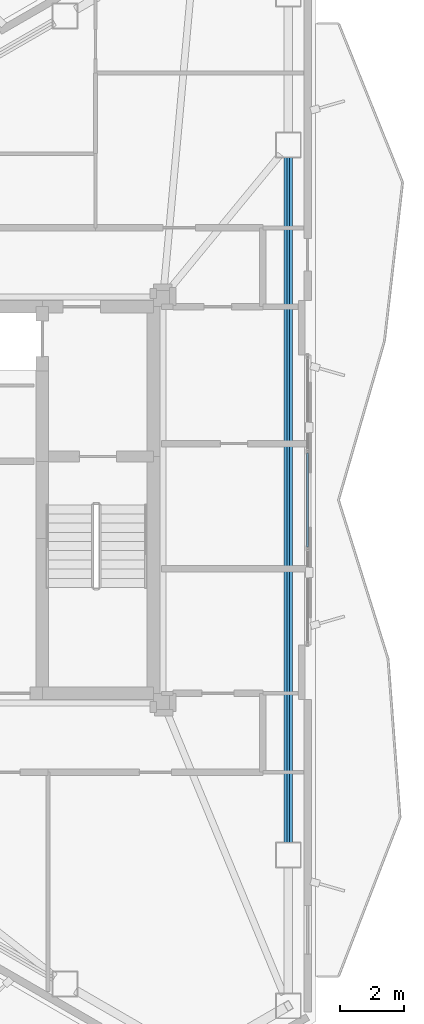
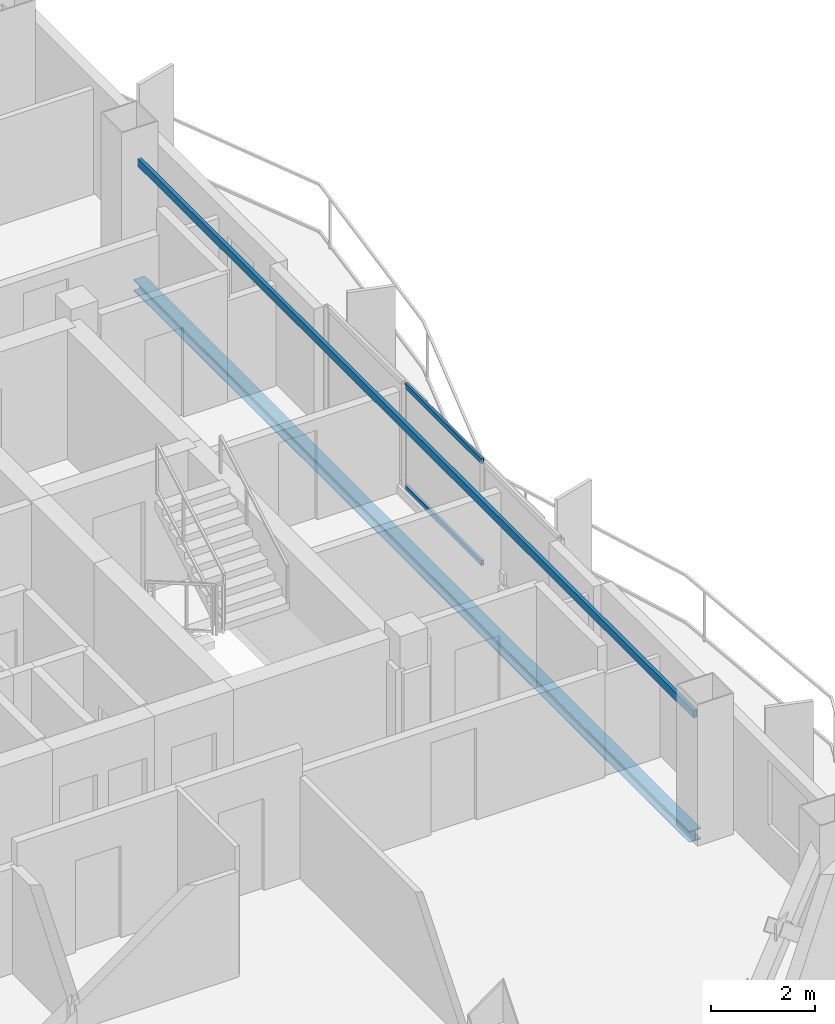
# One storey, part 12 of 21: 2 beams, 2 members, 1 element without a shape of its own.
"""IFC4 building model written with IfcOpenShell, lengths in metres."""

from ifc_helpers import new_model, si_unit, direction, frame, origin, origin_2d, place, context, subcontext, project, spatial, hollow_rectangle, i_section, extrude, material, layer, layer_set, material_profile, profile_set, type_object, element, aggregate, save


model = new_model("IFC4")

# Units and contexts
model_context = context("Model", 3, precision=1e-05, world=origin(), true_north=direction((0.0, 1.0)))
body_context = subcontext(model_context, "Body", "Model", "MODEL_VIEW")
ifc_project = project(units=[si_unit("LENGTHUNIT", "METRE"), si_unit("AREAUNIT", "SQUARE_METRE"), si_unit("VOLUMEUNIT", "CUBIC_METRE"), si_unit("PLANEANGLEUNIT", "RADIAN"), si_unit("MASSUNIT", "GRAM", prefix="KILO")], contexts=[model_context])

# Site, building, storey
site_placement = place(None, origin())
site = spatial("IfcSite", under=ifc_project, at=site_placement, CompositionType="ELEMENT")
building_placement = place(site_placement, origin())
building = spatial("IfcBuilding", under=site, at=building_placement, Name="Mersakhor Tower and Convention Hall", CompositionType="ELEMENT")
storey_placement = place(building_placement, frame((0.0, 0.0, 215.10009765625)))
storey = spatial("IfcBuildingStorey", under=building, at=storey_placement, Name="L60", CompositionType="ELEMENT", Elevation=215.10009765625)

# Beams
ifc_material_1 = material(Name="Steel S355", Category="steel")
ifc_material_profile_1 = material_profile(ifc_material_1, hollow_rectangle(XDim=0.080078125, YDim=0.179931640625, WallThickness=0.008056640625, at=origin_2d()), Name="RHS 180x80x8")
ifc_profile_set_1 = profile_set([ifc_material_profile_1], Name="Steel S355")
beam_type_1 = type_object("IfcBeamType", Name="BM-GRT-RHS180", PredefinedType="USERDEFINED", material=ifc_profile_set_1)
beam_1_placement = place(storey_placement, frame((39.98828125, 37.392822265625, 2.47998046875), z_axis=(0.0, -1.0, 0.0), x_axis=(1.0, 0.0, 0.0)))
element("IfcBeam", 1, at=beam_1_placement, inside=storey, type_object=beam_type_1, Name="L60 Facade Support Girt GRT-F2", ObjectType="GIRT", PredefinedType="USERDEFINED", context=body_context, shape_type="SweptSolid", body=[
    extrude(hollow_rectangle(XDim=0.080078125, YDim=0.179931640625, WallThickness=0.008056640625, at=origin_2d()), origin(), (0.0, 0.0, 1.0), 21.28564453125),
])
ifc_material_2 = material(Name="Steel S355", Category="steel")
ifc_material_profile_2 = material_profile(ifc_material_2, i_section(OverallWidth=0.25634765625, OverallDepth=0.26025390625, WebThickness=0.01025390625, FlangeThickness=0.017333984375, at=origin_2d()), Name="UC 254x254x89")
ifc_profile_set_2 = profile_set([ifc_material_profile_2], Name="Steel S355")
beam_type_2 = type_object("IfcBeamType", Name="BM-SPD-UC254", PredefinedType="SPANDREL", material=ifc_profile_set_2)
beam_2_placement = place(storey_placement, frame((39.98828125, 37.392822265625, -0.360107421875), z_axis=(0.0, -1.0, 0.0), x_axis=(1.0, 0.0, 0.0)))
element("IfcBeam", 2, at=beam_2_placement, inside=storey, type_object=beam_type_2, Name="L60 Perimeter Spandrel Beam SPB-06", PredefinedType="SPANDREL", context=body_context, shape_type="SweptSolid", body=[
    extrude(i_section(OverallWidth=0.25634765625, OverallDepth=0.26025390625, WebThickness=0.01025390625, FlangeThickness=0.017333984375, at=origin_2d()), origin(), (0.0, 0.0, 1.0), 21.28564453125),
])

# Curtain wall, members
ifc_material_3 = material(Name="Dark solar low-E aluminium curtain wall", Category="aluminium")
ifc_layer = layer(ifc_material_3, 0.169921875)
ifc_layer_set = layer_set([ifc_layer], Name="Dark solar low-E aluminium curtain wall")
curtain_wall_type = type_object("IfcCurtainWallType", Name="CW-SYS-02", PredefinedType="USERDEFINED", material=ifc_layer_set)
curtain_wall_placement = place(storey_placement, origin())
curtain_wall = element("IfcCurtainWall", 3, at=curtain_wall_placement, inside=storey, type_object=curtain_wall_type, Name="L60 Dark-Glass Curtain Wall F2-B2", ObjectType="CURTAIN WALL", PredefinedType="USERDEFINED")
ifc_material_4 = material(Name="Anodised aluminium EN AW-6063 T6", Category="aluminium")
ifc_material_profile_3 = material_profile(ifc_material_4, hollow_rectangle(XDim=0.06005859375, YDim=0.1201171875, WallThickness=0.0048828125, at=origin_2d()), Name="RHS 120x60x5")
ifc_profile_set_3 = profile_set([ifc_material_profile_3], Name="Anodised aluminium EN AW-6063 T6")
member_type = type_object("IfcMemberType", Name="CWT-120x60", PredefinedType="USERDEFINED", material=ifc_profile_set_3)
member_1_placement = place(storey_placement, frame((40.58837890625, 28.21240234375, 0.22998046875), z_axis=(0.0, -1.0, 0.0), x_axis=(1.0, 0.0, 0.0)))
member_1 = element("IfcMember", 4, at=member_1_placement, type_object=member_type, Name="CW-02 transom 2.1", ObjectType="TRANSOM", PredefinedType="USERDEFINED", context=body_context, shape_type="SweptSolid", body=[
    extrude(hollow_rectangle(XDim=0.06005859375, YDim=0.1201171875, WallThickness=0.0048828125, at=origin_2d()), origin(), (0.0, 0.0, 1.0), 2.9248046875),
])
member_2_placement = place(storey_placement, frame((40.58837890625, 28.21240234375, 2.60986328125), z_axis=(0.0, -1.0, 0.0), x_axis=(1.0, 0.0, 0.0)))
member_2 = element("IfcMember", 5, at=member_2_placement, type_object=member_type, Name="CW-02 transom 2.2", ObjectType="TRANSOM", PredefinedType="USERDEFINED", context=body_context, shape_type="SweptSolid", body=[
    extrude(hollow_rectangle(XDim=0.06005859375, YDim=0.1201171875, WallThickness=0.0048828125, at=origin_2d()), origin(), (0.0, 0.0, 1.0), 2.9248046875),
])
aggregate(curtain_wall, [member_1, member_2])

save(model, "model.ifc")
